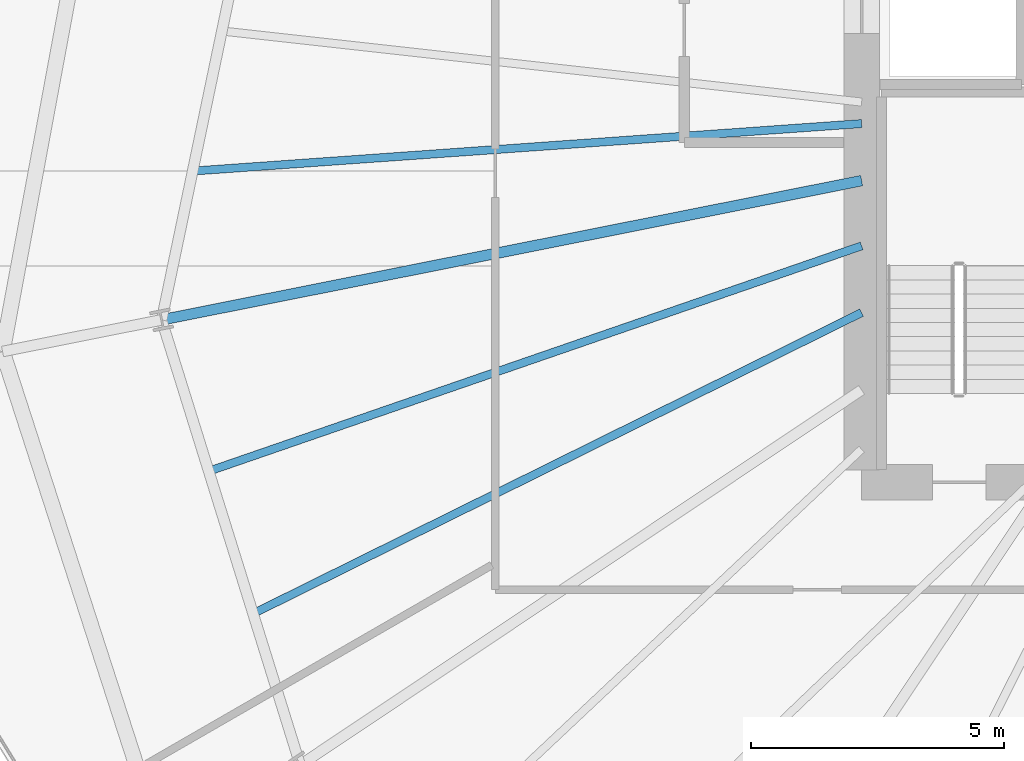
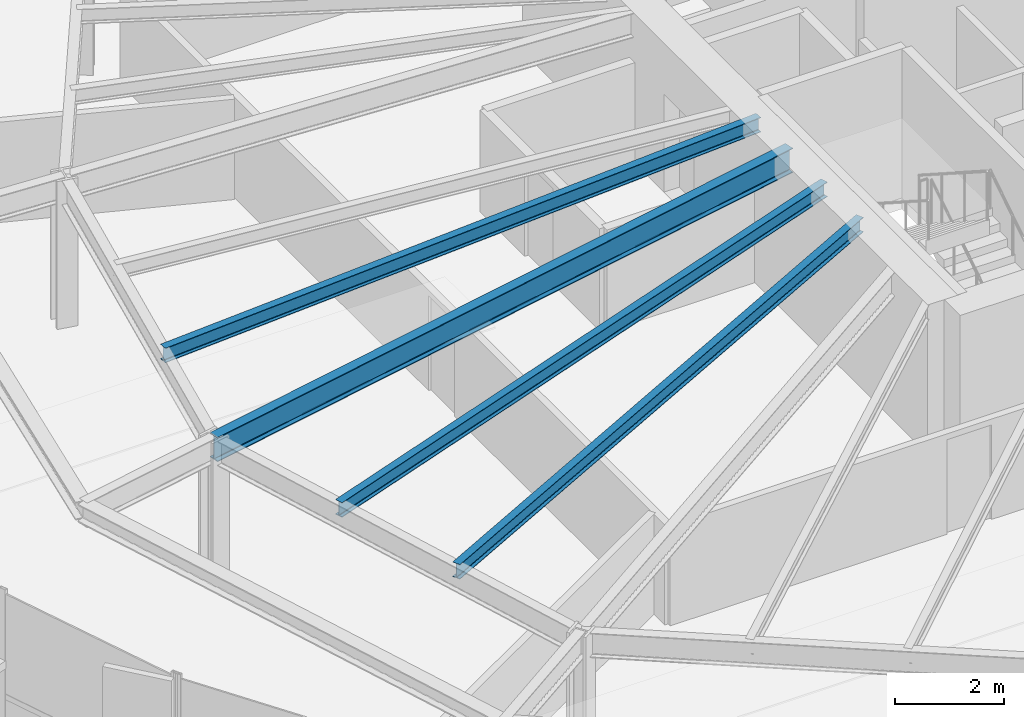
# One storey, part 9 of 35: 4 beams.
"""IFC4 building model written with IfcOpenShell, lengths in metres."""

from ifc_helpers import new_model, si_unit, direction, frame, origin, origin_2d, place, context, subcontext, project, spatial, i_section, extrude, source, transform, mapped, material, material_profile, profile_set, type_object, element, save


model = new_model("IFC4")

# Units and contexts
model_context = context("Model", 3, precision=1e-05, world=origin(), true_north=direction((0.0, 1.0)))
body_context = subcontext(model_context, "Body", "Model", "MODEL_VIEW")
ifc_project = project(units=[si_unit("LENGTHUNIT", "METRE"), si_unit("AREAUNIT", "SQUARE_METRE"), si_unit("VOLUMEUNIT", "CUBIC_METRE"), si_unit("PLANEANGLEUNIT", "RADIAN"), si_unit("MASSUNIT", "GRAM", prefix="KILO"), si_unit("THERMODYNAMICTEMPERATUREUNIT", "KELVIN")], contexts=[model_context])

# Site, building, storey
site_placement = place(None, origin())
site = spatial("IfcSite", under=ifc_project, at=site_placement, CompositionType="ELEMENT")
building_placement = place(site_placement, origin())
building = spatial("IfcBuilding", under=site, at=building_placement, Name="Kethvar Cultural Tower", CompositionType="ELEMENT")
storey_placement = place(building_placement, frame((0.0, 0.0, 89.199951171875)))
storey = spatial("IfcBuildingStorey", under=building, at=storey_placement, Name="L21", CompositionType="ELEMENT", Elevation=89.199951171875)

# Beams
ifc_material = material(Name="Steel S355J2", Category="steel")
ifc_material_profile_1 = material_profile(ifc_material, i_section(OverallWidth=0.2099609375, OverallDepth=0.550048828125, WebThickness=0.010986328125, FlangeThickness=0.01708984375, FilletRadius=0.02392578125, at=origin_2d()), Name="Steel S355J2 — IPE550")
ifc_profile_set_1 = profile_set([ifc_material_profile_1], Name="Steel S355J2 — IPE550")
beam_type_1 = type_object("IfcBeamType", Name="BM-IPE550", PredefinedType="BEAM", material=ifc_profile_set_1)
shared_shape_1 = source(origin(), body_context, "Body", "SweptSolid", [
    extrude(i_section(OverallWidth=0.2099609375, OverallDepth=0.550048828125, WebThickness=0.010986328125, FlangeThickness=0.01708984375, FilletRadius=0.02392578125, at=origin_2d()), origin(), (0.0, 0.0, 1.0), 14.085205078125),
])
beam_1_placement = place(storey_placement, frame((38.0, 26.049560546875, 3.072998046875), z_axis=(-0.98078679373, -0.195082713854, 0.0), x_axis=(0.195082713854, -0.98078679373, 0.0)))
element("IfcBeam", 1, at=beam_1_placement, inside=storey, type_object=beam_type_1, Name="L21 Primary Radial Beam RB-09", PredefinedType="BEAM", context=body_context, shape_type="MappedRepresentation", body=[
    mapped(shared_shape_1, transform((0.0, 0.0, 0.0), scale=1.0)),
])
ifc_material_profile_2 = material_profile(ifc_material, i_section(OverallWidth=0.159912109375, OverallDepth=0.330078125, WebThickness=0.007568359375, FlangeThickness=0.011474609375, FilletRadius=0.01806640625, at=origin_2d()), Name="Steel S355J2 — IPE330")
ifc_profile_set_2 = profile_set([ifc_material_profile_2], Name="Steel S355J2 — IPE330")
beam_type_2 = type_object("IfcBeamType", Name="BM-J330", PredefinedType="JOIST", material=ifc_profile_set_2)
shared_shape_2 = source(origin(), body_context, "Body", "SweptSolid", [
    extrude(i_section(OverallWidth=0.159912109375, OverallDepth=0.330078125, WebThickness=0.007568359375, FlangeThickness=0.011474609375, FilletRadius=0.01806640625, at=origin_2d()), origin(), (0.0, 0.0, 1.0), 13.234619140625),
])
beam_2_placement = place(storey_placement, frame((38.0, 27.175537109375, 3.18310546875), z_axis=(-0.997490530945, -0.070800004767, 0.0), x_axis=(0.070800004767, -0.997490530945, 0.0)))
element("IfcBeam", 2, at=beam_2_placement, inside=storey, type_object=beam_type_2, Name="L21 Composite Floor Joist J-08B", PredefinedType="JOIST", context=body_context, shape_type="MappedRepresentation", body=[
    mapped(shared_shape_2, transform((0.0, 0.0, 0.0), scale=1.0)),
])
shared_shape_3 = source(origin(), body_context, "Body", "SweptSolid", [
    extrude(i_section(OverallWidth=0.159912109375, OverallDepth=0.330078125, WebThickness=0.007568359375, FlangeThickness=0.011474609375, FilletRadius=0.01806640625, at=origin_2d()), origin(), (0.0, 0.0, 1.0), 13.630615234375),
])
beam_3_placement = place(storey_placement, frame((38.0, 24.762451171875, 3.18310546875), z_axis=(-0.945269577646, -0.326290400682, 0.0), x_axis=(0.326290400682, -0.945269577646, 0.0)))
element("IfcBeam", 3, at=beam_3_placement, inside=storey, type_object=beam_type_2, Name="L21 Composite Floor Joist J-09A", PredefinedType="JOIST", context=body_context, shape_type="MappedRepresentation", body=[
    mapped(shared_shape_3, transform((0.0, 0.0, 0.0), scale=1.0)),
])
shared_shape_4 = source(origin(), body_context, "Body", "SweptSolid", [
    extrude(i_section(OverallWidth=0.159912109375, OverallDepth=0.330078125, WebThickness=0.007568359375, FlangeThickness=0.011474609375, FilletRadius=0.01806640625, at=origin_2d()), origin(), (0.0, 0.0, 1.0), 13.39892578125),
])
beam_4_placement = place(storey_placement, frame((38.0, 23.44580078125, 3.18310546875), z_axis=(-0.896292467417, -0.44346342899, 0.0), x_axis=(0.44346342899, -0.896292467417, 0.0)))
element("IfcBeam", 4, at=beam_4_placement, inside=storey, type_object=beam_type_2, Name="L21 Composite Floor Joist J-09B", PredefinedType="JOIST", context=body_context, shape_type="MappedRepresentation", body=[
    mapped(shared_shape_4, transform((0.0, 0.0, 0.0), scale=1.0)),
])

save(model, "model.ifc")
